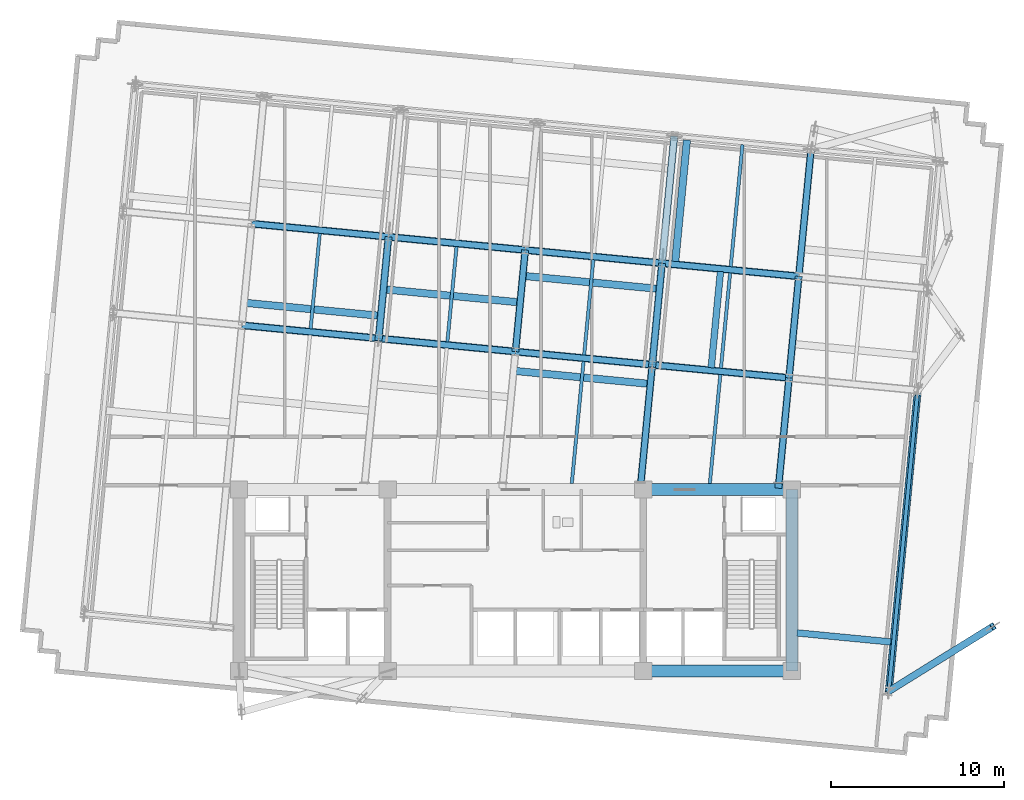
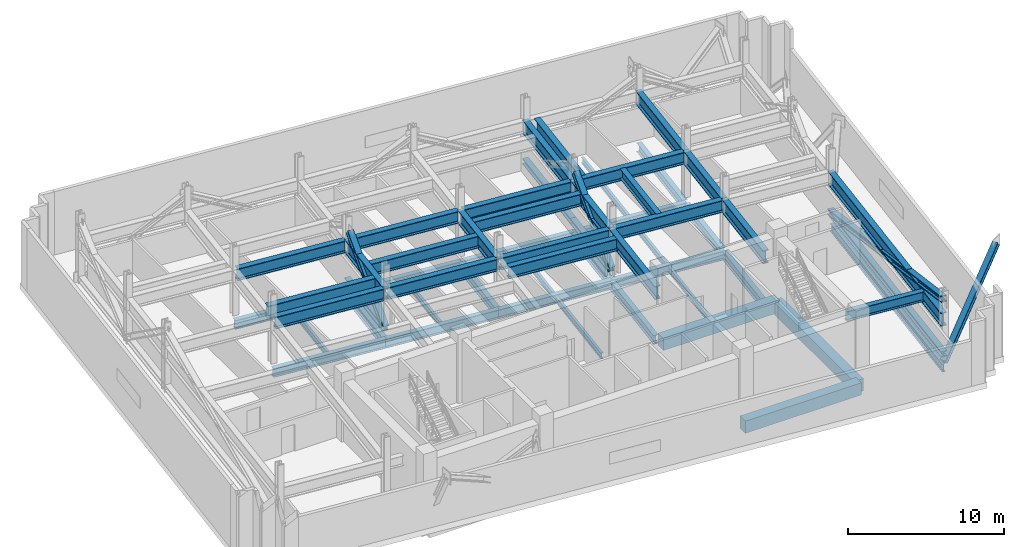
# One storey, part 2 of 10: 50 beams, 8 members.
"""IFC4 building model written with IfcOpenShell, lengths in metres."""

from ifc_helpers import new_model, si_unit, direction, frame, origin, origin_2d, place, context, subcontext, project, spatial, rectangle, i_section, extrude, material, material_profile, profile_set, type_object, element, save


model = new_model("IFC4")

# Units and contexts
model_context = context("Model", 3, precision=1e-05, world=origin(), true_north=direction((0.0, 1.0)))
body_context = subcontext(model_context, "Body", "Model", "MODEL_VIEW")
ifc_project = project(units=[si_unit("LENGTHUNIT", "METRE"), si_unit("AREAUNIT", "SQUARE_METRE"), si_unit("VOLUMEUNIT", "CUBIC_METRE"), si_unit("PLANEANGLEUNIT", "RADIAN"), si_unit("MASSUNIT", "GRAM", prefix="KILO")], contexts=[model_context])

# Site, building, storey
site_placement = place(None, origin())
site = spatial("IfcSite", under=ifc_project, at=site_placement, CompositionType="ELEMENT")
building_placement = place(site_placement, origin())
building = spatial("IfcBuilding", under=site, at=building_placement, Name="Solmavex Isthmus Hotel", CompositionType="ELEMENT")
storey_placement = place(building_placement, frame((0.0, 0.0, 186.300048828125)))
storey = spatial("IfcBuildingStorey", under=building, at=storey_placement, Name="L50", CompositionType="ELEMENT", Elevation=186.300048828125)

# Beams
ifc_material_1 = material(Name="Steel ASTM A992 Grade 50", Category="steel")
ifc_material_profile_1 = material_profile(ifc_material_1, i_section(OverallWidth=0.354736328125, OverallDepth=0.695556640625, WebThickness=0.015380859375, FlangeThickness=0.02490234375, FilletRadius=0.017822265625, at=origin_2d()), Name="W27X146")
ifc_profile_set_1 = profile_set([ifc_material_profile_1], Name="Steel ASTM A992 Grade 50")
beam_type_1 = type_object("IfcBeamType", Name="BM-BG-W27X146", PredefinedType="BEAM", material=ifc_profile_set_1)
beam_1_placement = place(storey_placement, frame((-15.83740234375, 7.015380859375, -0.7978515625), z_axis=(0.995397158178, -0.095835783981, 0.0), x_axis=(0.095835783981, 0.995397158178, 0.0)))
element("IfcBeam", 1, at=beam_1_placement, inside=storey, type_object=beam_type_1, Name="Floor Girder L50-UG04", PredefinedType="BEAM", context=body_context, shape_type="SweptSolid", body=[
    extrude(i_section(OverallWidth=0.354736328125, OverallDepth=0.695556640625, WebThickness=0.015380859375, FlangeThickness=0.02490234375, FilletRadius=0.017822265625, at=origin_2d()), origin(), (0.0, 0.0, 1.0), 7.955810546875),
])
for number, where, z_axis, x_axis, name in (
    (2, (-7.918212890625, 6.2529296875, -0.7978515625), (0.995394512348, -0.095863260885, 0.0), (0.095863260885, 0.995394512348, 0.0), "Floor Girder L50-UG05"),
    (3, (0.001220703125, 5.490234375, -0.7978515625), (0.995397440011, -0.095832856685, 0.0), (0.095832856685, 0.995397440011, 0.0), "Floor Girder L50-UG06"),
    (4, (7.920654296875, 4.727783203125, -0.7978515625), (0.995397440011, -0.095832856685, 0.0), (0.095832856685, 0.995397440011, 0.0), "Floor Girder L50-UG07"),
    (5, (-15.271240234375, 12.896240234375, -0.7978515625), (0.995397440011, -0.095832856685, 0.0), (0.095832856685, 0.995397440011, 0.0), "Floor Girder L50-UG10"),
    (6, (-7.351806640625, 12.1337890625, -0.7978515625), (0.995394512348, -0.095863260885, 0.0), (0.095863260885, 0.995394512348, 0.0), "Floor Girder L50-UG11"),
):
    element("IfcBeam", number, at=place(storey_placement, frame(where, z_axis=z_axis, x_axis=x_axis)), inside=storey, type_object=beam_type_1, Name=name, PredefinedType="BEAM", context=body_context, shape_type="SweptSolid", body=[
        extrude(i_section(OverallWidth=0.354736328125, OverallDepth=0.695556640625, WebThickness=0.015380859375, FlangeThickness=0.02490234375, FilletRadius=0.017822265625, at=origin_2d()), origin(), (0.0, 0.0, 1.0), 7.9560546875),
    ])
beam_2_placement = place(storey_placement, frame((0.567626953125, 11.37109375, -0.7978515625), z_axis=(0.995397158178, -0.095835783981, 0.0), x_axis=(0.095835783981, 0.995397158178, 0.0)))
element("IfcBeam", 7, at=beam_2_placement, inside=storey, type_object=beam_type_1, Name="Floor Girder L50-UG12", PredefinedType="BEAM", context=body_context, shape_type="SweptSolid", body=[
    extrude(i_section(OverallWidth=0.354736328125, OverallDepth=0.695556640625, WebThickness=0.015380859375, FlangeThickness=0.02490234375, FilletRadius=0.017822265625, at=origin_2d()), origin(), (0.0, 0.0, 1.0), 7.955810546875),
])
beam_3_placement = place(storey_placement, frame((8.48681640625, 10.608642578125, -0.7978515625), z_axis=(0.995394512348, -0.095863260885, 0.0), x_axis=(0.095863260885, 0.995394512348, 0.0)))
element("IfcBeam", 8, at=beam_3_placement, inside=storey, type_object=beam_type_1, Name="Floor Girder L50-UG13", PredefinedType="BEAM", context=body_context, shape_type="SweptSolid", body=[
    extrude(i_section(OverallWidth=0.354736328125, OverallDepth=0.695556640625, WebThickness=0.015380859375, FlangeThickness=0.02490234375, FilletRadius=0.017822265625, at=origin_2d()), origin(), (0.0, 0.0, 1.0), 7.9560546875),
])
for number, where, z_axis, x_axis, name in (
    (9, (-7.901123046875, 6.429443359375, -0.7978515625), (0.095842252862, 0.99539653534, 0.0), (-0.99539653534, 0.095842252862, 0.0), "Floor Beam L50-VG28"),
    (10, (0.018310546875, 5.6669921875, -0.7978515625), (0.095842252862, 0.99539653534, 0.0), (-0.99539653534, 0.095842252862, 0.0), "Floor Beam L50-VG31"),
):
    element("IfcBeam", number, at=place(storey_placement, frame(where, z_axis=z_axis, x_axis=x_axis)), inside=storey, type_object=beam_type_1, Name=name, PredefinedType="BEAM", context=body_context, shape_type="SweptSolid", body=[
        extrude(i_section(OverallWidth=0.354736328125, OverallDepth=0.695556640625, WebThickness=0.015380859375, FlangeThickness=0.02490234375, FilletRadius=0.017822265625, at=origin_2d()), origin(), (0.0, 0.0, 1.0), 5.55322265625),
    ])
beam_4_placement = place(storey_placement, frame((7.25830078125, -2.14990234375, -0.7978515625), z_axis=(0.095847843924, 0.995395996986, 0.0), x_axis=(-0.995395996986, 0.095847843924, 0.0)))
element("IfcBeam", 11, at=beam_4_placement, inside=storey, type_object=beam_type_1, Name="Floor Beam L50-VG33", PredefinedType="BEAM", context=body_context, shape_type="SweptSolid", body=[
    extrude(i_section(OverallWidth=0.354736328125, OverallDepth=0.695556640625, WebThickness=0.015380859375, FlangeThickness=0.02490234375, FilletRadius=0.017822265625, at=origin_2d()), origin(), (0.0, 0.0, 1.0), 6.732177734375),
])
beam_5_placement = place(storey_placement, frame((7.937744140625, 4.904296875, -0.7978515625), z_axis=(0.095842252862, 0.99539653534, 0.0), x_axis=(-0.99539653534, 0.095842252862, 0.0)))
element("IfcBeam", 12, at=beam_5_placement, inside=storey, type_object=beam_type_1, Name="Floor Beam L50-VG34", PredefinedType="BEAM", context=body_context, shape_type="SweptSolid", body=[
    extrude(i_section(OverallWidth=0.354736328125, OverallDepth=0.695556640625, WebThickness=0.015380859375, FlangeThickness=0.02490234375, FilletRadius=0.017822265625, at=origin_2d()), origin(), (0.0, 0.0, 1.0), 5.55322265625),
])
beam_6_placement = place(storey_placement, frame((15.251220703125, -2.14990234375, -0.7978515625), z_axis=(0.095840286514, 0.995396724669, 0.0), x_axis=(-0.995396724669, 0.095840286514, 0.0)))
element("IfcBeam", 13, at=beam_6_placement, inside=storey, type_object=beam_type_1, Name="Floor Beam L50-VG36", PredefinedType="BEAM", context=body_context, shape_type="SweptSolid", body=[
    extrude(i_section(OverallWidth=0.354736328125, OverallDepth=0.695556640625, WebThickness=0.015380859375, FlangeThickness=0.02490234375, FilletRadius=0.017822265625, at=origin_2d()), origin(), (0.0, 0.0, 1.0), 5.9658203125),
])
beam_7_placement = place(storey_placement, frame((15.85693359375, 4.141845703125, -0.7978515625), z_axis=(0.095842252862, 0.99539653534, 0.0), x_axis=(-0.99539653534, 0.095842252862, 0.0)))
element("IfcBeam", 14, at=beam_7_placement, inside=storey, type_object=beam_type_1, Name="Floor Beam L50-VG37", PredefinedType="BEAM", context=body_context, shape_type="SweptSolid", body=[
    extrude(i_section(OverallWidth=0.354736328125, OverallDepth=0.695556640625, WebThickness=0.015380859375, FlangeThickness=0.02490234375, FilletRadius=0.017822265625, at=origin_2d()), origin(), (0.0, 0.0, 1.0), 5.55322265625),
])
beam_8_placement = place(storey_placement, frame((16.42333984375, 10.022705078125, -0.7978515625), z_axis=(0.095842805175, 0.99539648216, 0.0), x_axis=(-0.99539648216, 0.095842805175, 0.0)))
element("IfcBeam", 15, at=beam_8_placement, inside=storey, type_object=beam_type_1, Name="Floor Beam L50-VG38", PredefinedType="BEAM", context=body_context, shape_type="SweptSolid", body=[
    extrude(i_section(OverallWidth=0.354736328125, OverallDepth=0.695556640625, WebThickness=0.015380859375, FlangeThickness=0.02490234375, FilletRadius=0.017822265625, at=origin_2d()), origin(), (0.0, 0.0, 1.0), 7.099365234375),
])
ifc_material_profile_2 = material_profile(ifc_material_1, i_section(OverallWidth=0.380615234375, OverallDepth=0.773193359375, WebThickness=0.0166015625, FlangeThickness=0.027099609375, FilletRadius=0.01904296875, at=origin_2d()), Name="W30X173")
ifc_profile_set_2 = profile_set([ifc_material_profile_2], Name="Steel ASTM A992 Grade 50")
beam_type_2 = type_object("IfcBeamType", Name="BM-BG-W30X173", PredefinedType="BEAM", material=ifc_profile_set_2)
beam_9_placement = place(storey_placement, frame((11.333984375, 4.554931640625, 3.183349609375), z_axis=(0.095862823934, 0.995394554429, 0.0), x_axis=(-0.995394554429, 0.095862823934, 0.0)))
element("IfcBeam", 16, at=beam_9_placement, inside=storey, type_object=beam_type_2, Name="Floor Framing Cross Girder L50-XLC53", PredefinedType="BEAM", context=body_context, shape_type="SweptSolid", body=[
    extrude(i_section(OverallWidth=0.380615234375, OverallDepth=0.773193359375, WebThickness=0.0166015625, FlangeThickness=0.027099609375, FilletRadius=0.01904296875, at=origin_2d()), origin(), (0.0, 0.0, 1.0), 5.597900390625),
])
beam_10_placement = place(storey_placement, frame((16.300048828125, -10.79638671875, 3.183349609375), z_axis=(0.995394435534, -0.095864058476, 0.0), x_axis=(0.095864058476, 0.995394435534, 0.0)))
element("IfcBeam", 17, at=beam_10_placement, inside=storey, type_object=beam_type_2, Name="Floor Framing Cross Girder L50-XLC55", PredefinedType="BEAM", context=body_context, shape_type="SweptSolid", body=[
    extrude(i_section(OverallWidth=0.380615234375, OverallDepth=0.773193359375, WebThickness=0.0166015625, FlangeThickness=0.027099609375, FilletRadius=0.01904296875, at=origin_2d()), origin(), (0.0, 0.0, 1.0), 5.460205078125),
])
ifc_material_profile_3 = material_profile(ifc_material_1, i_section(OverallWidth=0.1904296875, OverallDepth=0.456787109375, WebThickness=0.009033203125, FlangeThickness=0.014404296875, FilletRadius=0.0126953125, at=origin_2d()), Name="W18X50")
ifc_profile_set_3 = profile_set([ifc_material_profile_3], Name="Steel ASTM A992 Grade 50")
beam_type_3 = type_object("IfcBeamType", Name="BM-BJ-W18X50", PredefinedType="JOIST", material=ifc_profile_set_3)
beam_11_placement = place(storey_placement, frame((-11.86083984375, 6.810791015625, -0.678466796875), z_axis=(0.095842252862, 0.99539653534, 0.0), x_axis=(-0.99539653534, 0.095842252862, 0.0)))
element("IfcBeam", 18, at=beam_11_placement, inside=storey, type_object=beam_type_3, Name="Secondary Floor Joist L50-J05", PredefinedType="JOIST", context=body_context, shape_type="SweptSolid", body=[
    extrude(i_section(OverallWidth=0.1904296875, OverallDepth=0.456787109375, WebThickness=0.009033203125, FlangeThickness=0.014404296875, FilletRadius=0.0126953125, at=origin_2d()), origin(), (0.0, 0.0, 1.0), 5.55322265625),
])
beam_12_placement = place(storey_placement, frame((-3.94140625, 6.048095703125, -0.678466796875), z_axis=(0.095838058801, 0.995396939158, 0.0), x_axis=(-0.995396939158, 0.095838058801, 0.0)))
element("IfcBeam", 19, at=beam_12_placement, inside=storey, type_object=beam_type_3, Name="Secondary Floor Joist L50-J08", PredefinedType="JOIST", context=body_context, shape_type="SweptSolid", body=[
    extrude(i_section(OverallWidth=0.1904296875, OverallDepth=0.456787109375, WebThickness=0.009033203125, FlangeThickness=0.014404296875, FilletRadius=0.0126953125, at=origin_2d()), origin(), (0.0, 0.0, 1.0), 5.553466796875),
])
beam_13_placement = place(storey_placement, frame((3.261962890625, -2.14990234375, -0.678466796875), z_axis=(0.095837287001, 0.995397013468, 0.0), x_axis=(-0.995397013468, 0.095837287001, 0.0)))
element("IfcBeam", 20, at=beam_13_placement, inside=storey, type_object=beam_type_3, Name="Secondary Floor Joist L50-J10", PredefinedType="JOIST", context=body_context, shape_type="SweptSolid", body=[
    extrude(i_section(OverallWidth=0.1904296875, OverallDepth=0.456787109375, WebThickness=0.009033203125, FlangeThickness=0.014404296875, FilletRadius=0.0126953125, at=origin_2d()), origin(), (0.0, 0.0, 1.0), 7.114990234375),
])
beam_14_placement = place(storey_placement, frame((3.97802734375, 5.28564453125, -0.678466796875), z_axis=(0.095842252862, 0.99539653534, 0.0), x_axis=(-0.99539653534, 0.095842252862, 0.0)))
element("IfcBeam", 21, at=beam_14_placement, inside=storey, type_object=beam_type_3, Name="Secondary Floor Joist L50-J11", PredefinedType="JOIST", context=body_context, shape_type="SweptSolid", body=[
    extrude(i_section(OverallWidth=0.1904296875, OverallDepth=0.456787109375, WebThickness=0.009033203125, FlangeThickness=0.014404296875, FilletRadius=0.0126953125, at=origin_2d()), origin(), (0.0, 0.0, 1.0), 5.55322265625),
])
beam_15_placement = place(storey_placement, frame((11.2548828125, -2.14990234375, -0.678466796875), z_axis=(0.095825243261, 0.995398172971, 0.0), x_axis=(-0.995398172971, 0.095825243261, 0.0)))
element("IfcBeam", 22, at=beam_15_placement, inside=storey, type_object=beam_type_3, Name="Secondary Floor Joist L50-J13", PredefinedType="JOIST", context=body_context, shape_type="SweptSolid", body=[
    extrude(i_section(OverallWidth=0.1904296875, OverallDepth=0.456787109375, WebThickness=0.009033203125, FlangeThickness=0.014404296875, FilletRadius=0.0126953125, at=origin_2d()), origin(), (0.0, 0.0, 1.0), 6.34912109375),
])
beam_16_placement = place(storey_placement, frame((11.8974609375, 4.523193359375, -0.678466796875), z_axis=(0.095842252862, 0.99539653534, 0.0), x_axis=(-0.99539653534, 0.095842252862, 0.0)))
element("IfcBeam", 23, at=beam_16_placement, inside=storey, type_object=beam_type_3, Name="Secondary Floor Joist L50-J14", PredefinedType="JOIST", context=body_context, shape_type="SweptSolid", body=[
    extrude(i_section(OverallWidth=0.1904296875, OverallDepth=0.456787109375, WebThickness=0.009033203125, FlangeThickness=0.014404296875, FilletRadius=0.0126953125, at=origin_2d()), origin(), (0.0, 0.0, 1.0), 5.55322265625),
])
beam_17_placement = place(storey_placement, frame((12.463623046875, 10.40380859375, -0.678466796875), z_axis=(0.095839524498, 0.995396798038, 0.0), x_axis=(-0.995396798038, 0.095839524498, 0.0)))
element("IfcBeam", 24, at=beam_17_placement, inside=storey, type_object=beam_type_3, Name="Secondary Floor Joist L50-J15", PredefinedType="JOIST", context=body_context, shape_type="SweptSolid", body=[
    extrude(i_section(OverallWidth=0.1904296875, OverallDepth=0.456787109375, WebThickness=0.009033203125, FlangeThickness=0.014404296875, FilletRadius=0.0126953125, at=origin_2d()), origin(), (0.0, 0.0, 1.0), 7.099609375),
])
ifc_material_2 = material(Name="Concrete C60/75", Category="concrete")
ifc_material_profile_4 = material_profile(ifc_material_2, rectangle(XDim=0.699951171875, YDim=0.949951171875, at=origin_2d()), Name="RC700X950")
ifc_profile_set_4 = profile_set([ifc_material_profile_4], Name="Concrete C60/75")
beam_type_4 = type_object("IfcBeamType", Name="BM-CB-700X950", PredefinedType="BEAM", material=ifc_profile_set_4)
for number, where, z_axis, x_axis, name in (
    (25, (7.39990234375, -13.0, -0.925048828125), (1.0, 0.0, 0.0), (0.0, 1.0, 0.0), "Core Coupling Beam L50-CB3"),
    (26, (7.39990234375, -2.5, -0.81494140625), (1.0, 0.0, 0.0), (0.0, 1.0, 0.0), "Core Coupling Beam L50-CB6"),
):
    element("IfcBeam", number, at=place(storey_placement, frame(where, z_axis=z_axis, x_axis=x_axis)), inside=storey, type_object=beam_type_4, Name=name, PredefinedType="BEAM", context=body_context, shape_type="SweptSolid", body=[
        extrude(rectangle(XDim=0.699951171875, YDim=0.949951171875, at=origin_2d()), origin(), (0.0, 0.0, 1.0), 8.60009765625),
    ])
beam_18_placement = place(storey_placement, frame((16.0, -13.0, -0.925048828125), z_axis=(0.0, 1.0, 0.0), x_axis=(-1.0, 0.0, 0.0)))
element("IfcBeam", 27, at=beam_18_placement, inside=storey, type_object=beam_type_4, Name="Core Coupling Beam L50-CB8", PredefinedType="BEAM", context=body_context, shape_type="SweptSolid", body=[
    extrude(rectangle(XDim=0.699951171875, YDim=0.949951171875, at=origin_2d()), origin(), (0.0, 0.0, 1.0), 10.5),
])
ifc_material_profile_5 = material_profile(ifc_material_1, i_section(OverallWidth=0.230224609375, OverallDepth=0.617431640625, WebThickness=0.01318359375, FlangeThickness=0.022216796875, FilletRadius=0.01513671875, at=origin_2d()), Name="W24X94")
ifc_profile_set_5 = profile_set([ifc_material_profile_5], Name="Steel ASTM A992 Grade 50")
beam_type_5 = type_object("IfcBeamType", Name="BM-SP-W24X94", PredefinedType="SPANDREL", material=ifc_profile_set_5)
beam_19_placement = place(storey_placement, frame((21.6162109375, -14.171875, -0.7587890625), z_axis=(0.095851245948, 0.995395669395, 0.0), x_axis=(-0.995395669395, 0.095851245948, 0.0)))
element("IfcBeam", 28, at=beam_19_placement, inside=storey, type_object=beam_type_5, Name="Floor Beam L50-VG39", PredefinedType="SPANDREL", context=body_context, shape_type="SweptSolid", body=[
    extrude(i_section(OverallWidth=0.230224609375, OverallDepth=0.617431640625, WebThickness=0.01318359375, FlangeThickness=0.022216796875, FilletRadius=0.01513671875, at=origin_2d()), origin(), (0.0, 0.0, 1.0), 17.32275390625),
])
ifc_material_3 = material(Name="Steel ASTM A913 Grade 65", Category="steel")
ifc_material_profile_6 = material_profile(ifc_material_3, i_section(OverallWidth=0.423095703125, OverallDepth=0.93896484375, WebThickness=0.02392578125, FlangeThickness=0.042724609375, FilletRadius=0.024169921875, at=origin_2d()), Name="W36X302")
ifc_profile_set_6 = profile_set([ifc_material_profile_6], Name="Steel ASTM A913 Grade 65")
beam_type_6 = type_object("IfcBeamType", Name="BM-TB-W36X302", PredefinedType="BEAM", material=ifc_profile_set_6)
for number, where, z_axis, x_axis, name in (
    (29, (-15.68310546875, 7.00048828125, 3.100341796875), (0.995398375573, -0.095823138676, 0.0), (0.095823138676, 0.995398375573, 0.0), "Horizontal Outrigger Collector Girder L50-XLC25"),
    (30, (-7.763916015625, 6.238037109375, 3.100341796875), (0.995395329488, -0.095854775747, 0.0), (0.095854775747, 0.995395329488, 0.0), "Horizontal Outrigger Collector Girder L50-XLC26"),
    (31, (0.155517578125, 5.4755859375, 3.100341796875), (0.995395329488, -0.095854775747, 0.0), (0.095854775747, 0.995395329488, 0.0), "Horizontal Outrigger Collector Girder L50-XLC27"),
    (32, (8.074951171875, 4.712890625, 3.100341796875), (0.995395329488, -0.095854775747, 0.0), (0.095854775747, 0.995395329488, 0.0), "Horizontal Outrigger Collector Girder L50-XLC28"),
    (33, (-15.116943359375, 12.88134765625, 3.100341796875), (0.995395329488, -0.095854775747, 0.0), (0.095854775747, 0.995395329488, 0.0), "Horizontal Outrigger Collector Girder L50-XLC31"),
    (34, (-7.197509765625, 12.118896484375, 3.100341796875), (0.995395329488, -0.095854775747, 0.0), (0.095854775747, 0.995395329488, 0.0), "Horizontal Outrigger Collector Girder L50-XLC32"),
):
    element("IfcBeam", number, at=place(storey_placement, frame(where, z_axis=z_axis, x_axis=x_axis)), inside=storey, type_object=beam_type_6, Name=name, PredefinedType="BEAM", context=body_context, shape_type="SweptSolid", body=[
        extrude(i_section(OverallWidth=0.423095703125, OverallDepth=0.93896484375, WebThickness=0.02392578125, FlangeThickness=0.042724609375, FilletRadius=0.024169921875, at=origin_2d()), origin(), (0.0, 0.0, 1.0), 7.64599609375),
    ])
beam_20_placement = place(storey_placement, frame((0.721923828125, 11.356201171875, 3.100341796875), z_axis=(0.995398082372, -0.095826184365, 0.0), x_axis=(0.095826184365, 0.995398082372, 0.0)))
element("IfcBeam", 35, at=beam_20_placement, inside=storey, type_object=beam_type_6, Name="Horizontal Outrigger Collector Girder L50-XLC33", PredefinedType="BEAM", context=body_context, shape_type="SweptSolid", body=[
    extrude(i_section(OverallWidth=0.423095703125, OverallDepth=0.93896484375, WebThickness=0.02392578125, FlangeThickness=0.042724609375, FilletRadius=0.024169921875, at=origin_2d()), origin(), (0.0, 0.0, 1.0), 7.645751953125),
])
for number, where, z_axis, x_axis, name in (
    (36, (8.64111328125, 10.59375, 3.100341796875), (0.995395329488, -0.095854775747, 0.0), (0.095854775747, 0.995395329488, 0.0), "Horizontal Outrigger Collector Girder L50-XLC34"),
    (37, (-15.5576171875, 8.3056640625, 3.100341796875), (0.995395329488, -0.095854775747, 0.0), (0.095854775747, 0.995395329488, 0.0), "Horizontal Outrigger Collector Girder L50-XLC45"),
    (38, (-7.48974609375, 9.083984375, 3.100341796875), (0.995398375573, -0.095823138676, 0.0), (0.095823138676, 0.995398375573, 0.0), "Horizontal Outrigger Collector Girder L50-XLC48"),
):
    element("IfcBeam", number, at=place(storey_placement, frame(where, z_axis=z_axis, x_axis=x_axis)), inside=storey, type_object=beam_type_6, Name=name, PredefinedType="BEAM", context=body_context, shape_type="SweptSolid", body=[
        extrude(i_section(OverallWidth=0.423095703125, OverallDepth=0.93896484375, WebThickness=0.02392578125, FlangeThickness=0.042724609375, FilletRadius=0.024169921875, at=origin_2d()), origin(), (0.0, 0.0, 1.0), 7.64599609375),
    ])
beam_21_placement = place(storey_placement, frame((0.048583984375, 4.36328125, 3.100341796875), z_axis=(0.995398082372, -0.095826184365, 0.0), x_axis=(0.095826184365, 0.995398082372, 0.0)))
element("IfcBeam", 39, at=beam_21_placement, inside=storey, type_object=beam_type_6, Name="Horizontal Outrigger Collector Girder L50-XLC50", PredefinedType="BEAM", context=body_context, shape_type="SweptSolid", body=[
    extrude(i_section(OverallWidth=0.423095703125, OverallDepth=0.93896484375, WebThickness=0.02392578125, FlangeThickness=0.042724609375, FilletRadius=0.024169921875, at=origin_2d()), origin(), (0.0, 0.0, 1.0), 7.645751953125),
])
beam_22_placement = place(storey_placement, frame((0.577880859375, 9.862548828125, 3.100341796875), z_axis=(0.995395329488, -0.095854775747, 0.0), x_axis=(0.095854775747, 0.995395329488, 0.0)))
element("IfcBeam", 40, at=beam_22_placement, inside=storey, type_object=beam_type_6, Name="Horizontal Outrigger Collector Girder L50-XLC51", PredefinedType="BEAM", context=body_context, shape_type="SweptSolid", body=[
    extrude(i_section(OverallWidth=0.423095703125, OverallDepth=0.93896484375, WebThickness=0.02392578125, FlangeThickness=0.042724609375, FilletRadius=0.024169921875, at=origin_2d()), origin(), (0.0, 0.0, 1.0), 7.64599609375),
])
beam_23_placement = place(storey_placement, frame((9.251220703125, 10.690673828125, 3.100341796875), z_axis=(0.095837213998, 0.995397020496, 0.0), x_axis=(-0.995397020496, 0.095837213998, 0.0)))
element("IfcBeam", 41, at=beam_23_placement, inside=storey, type_object=beam_type_6, Name="Horizontal Outrigger Collector Girder L50-XLC54", PredefinedType="BEAM", context=body_context, shape_type="SweptSolid", body=[
    extrude(i_section(OverallWidth=0.423095703125, OverallDepth=0.93896484375, WebThickness=0.02392578125, FlangeThickness=0.042724609375, FilletRadius=0.024169921875, at=origin_2d()), origin(), (0.0, 0.0, 1.0), 7.08203125),
])
ifc_material_profile_7 = material_profile(ifc_material_3, i_section(OverallWidth=0.409423828125, OverallDepth=1.036376953125, WebThickness=0.031005859375, FlangeThickness=0.055908203125, FilletRadius=0.030517578125, at=origin_2d()), Name="W40X397")
ifc_profile_set_7 = profile_set([ifc_material_profile_7], Name="Steel ASTM A913 Grade 65")
beam_type_7 = type_object("IfcBeamType", Name="BM-TB-W40X397B", PredefinedType="BEAM", material=ifc_profile_set_7)
for number, where, z_axis, x_axis, name in (
    (42, (-7.918212890625, 6.2529296875, 3.0517578125), (0.095869884946, 0.995393874384, 0.0), (-0.995393874384, 0.095869884946, 0.0), "Horizontal Transfer Carrier Girder L50-XLC08"),
    (43, (0.001220703125, 5.490234375, 3.0517578125), (0.095869884946, 0.995393874384, 0.0), (-0.995393874384, 0.095869884946, 0.0), "Horizontal Transfer Carrier Girder L50-XLC11"),
):
    element("IfcBeam", number, at=place(storey_placement, frame(where, z_axis=z_axis, x_axis=x_axis)), inside=storey, type_object=beam_type_7, Name=name, PredefinedType="BEAM", context=body_context, shape_type="SweptSolid", body=[
        extrude(i_section(OverallWidth=0.409423828125, OverallDepth=1.036376953125, WebThickness=0.031005859375, FlangeThickness=0.055908203125, FilletRadius=0.030517578125, at=origin_2d()), origin(), (0.0, 0.0, 1.0), 5.907958984375),
    ])
beam_24_placement = place(storey_placement, frame((7.232421875, -2.419921875, 3.0517578125), z_axis=(0.095843917792, 0.99539637503, 0.0), x_axis=(-0.99539637503, 0.095843917792, 0.0)))
element("IfcBeam", 44, at=beam_24_placement, inside=storey, type_object=beam_type_7, Name="Horizontal Transfer Carrier Girder L50-XLC13", PredefinedType="BEAM", context=body_context, shape_type="SweptSolid", body=[
    extrude(i_section(OverallWidth=0.409423828125, OverallDepth=1.036376953125, WebThickness=0.031005859375, FlangeThickness=0.055908203125, FilletRadius=0.030517578125, at=origin_2d()), origin(), (0.0, 0.0, 1.0), 7.1806640625),
])
beam_25_placement = place(storey_placement, frame((7.920654296875, 4.727783203125, 3.0517578125), z_axis=(0.095828941279, 0.995397816962, 0.0), x_axis=(-0.995397816962, 0.095828941279, 0.0)))
element("IfcBeam", 45, at=beam_25_placement, inside=storey, type_object=beam_type_7, Name="Horizontal Transfer Carrier Girder L50-XLC14", PredefinedType="BEAM", context=body_context, shape_type="SweptSolid", body=[
    extrude(i_section(OverallWidth=0.409423828125, OverallDepth=1.036376953125, WebThickness=0.031005859375, FlangeThickness=0.055908203125, FilletRadius=0.030517578125, at=origin_2d()), origin(), (0.0, 0.0, 1.0), 5.907958984375),
])
beam_26_placement = place(storey_placement, frame((8.48681640625, 10.608642578125, 3.0517578125), z_axis=(0.095847083277, 0.995396070229, 0.0), x_axis=(-0.995396070229, 0.095847083277, 0.0)))
element("IfcBeam", 46, at=beam_26_placement, inside=storey, type_object=beam_type_7, Name="Horizontal Transfer Carrier Girder L50-XLC15", PredefinedType="BEAM", context=body_context, shape_type="SweptSolid", body=[
    extrude(i_section(OverallWidth=0.409423828125, OverallDepth=1.036376953125, WebThickness=0.031005859375, FlangeThickness=0.055908203125, FilletRadius=0.030517578125, at=origin_2d()), origin(), (0.0, 0.0, 1.0), 7.391845703125),
])
beam_27_placement = place(storey_placement, frame((15.22509765625, -2.419921875, 3.0517578125), z_axis=(0.095870498612, 0.995393815279, 0.0), x_axis=(-0.995393815279, 0.095870498612, 0.0)))
element("IfcBeam", 47, at=beam_27_placement, inside=storey, type_object=beam_type_7, Name="Horizontal Transfer Carrier Girder L50-XLC16", PredefinedType="BEAM", context=body_context, shape_type="SweptSolid", body=[
    extrude(i_section(OverallWidth=0.409423828125, OverallDepth=1.036376953125, WebThickness=0.031005859375, FlangeThickness=0.055908203125, FilletRadius=0.030517578125, at=origin_2d()), origin(), (0.0, 0.0, 1.0), 6.414794921875),
])
beam_28_placement = place(storey_placement, frame((15.840087890625, 3.96533203125, 3.0517578125), z_axis=(0.095832883193, 0.995397437458, 0.0), x_axis=(-0.995397437458, 0.095832883193, 0.0)))
element("IfcBeam", 48, at=beam_28_placement, inside=storey, type_object=beam_type_7, Name="Horizontal Transfer Carrier Girder L50-XLC17", PredefinedType="BEAM", context=body_context, shape_type="SweptSolid", body=[
    extrude(i_section(OverallWidth=0.409423828125, OverallDepth=1.036376953125, WebThickness=0.031005859375, FlangeThickness=0.055908203125, FilletRadius=0.030517578125, at=origin_2d()), origin(), (0.0, 0.0, 1.0), 5.90771484375),
])
beam_29_placement = place(storey_placement, frame((16.40625, 9.845947265625, 3.0517578125), z_axis=(0.095843932323, 0.995396373631, 0.0), x_axis=(-0.995396373631, 0.095843932323, 0.0)))
element("IfcBeam", 49, at=beam_29_placement, inside=storey, type_object=beam_type_7, Name="Horizontal Transfer Carrier Girder L50-XLC18", PredefinedType="BEAM", context=body_context, shape_type="SweptSolid", body=[
    extrude(i_section(OverallWidth=0.409423828125, OverallDepth=1.036376953125, WebThickness=0.031005859375, FlangeThickness=0.055908203125, FilletRadius=0.030517578125, at=origin_2d()), origin(), (0.0, 0.0, 1.0), 7.39208984375),
])
beam_30_placement = place(storey_placement, frame((21.6162109375, -14.171875, 3.0517578125), z_axis=(0.095842661909, 0.995396495954, 0.0), x_axis=(-0.995396495954, 0.095842661909, 0.0)))
element("IfcBeam", 50, at=beam_30_placement, inside=storey, type_object=beam_type_7, Name="Horizontal Transfer Carrier Girder L50-XLC19", PredefinedType="BEAM", context=body_context, shape_type="SweptSolid", body=[
    extrude(i_section(OverallWidth=0.409423828125, OverallDepth=1.036376953125, WebThickness=0.031005859375, FlangeThickness=0.055908203125, FilletRadius=0.030517578125, at=origin_2d()), origin(), (0.0, 0.0, 1.0), 17.5),
])

# Members
ifc_material_profile_8 = material_profile(ifc_material_3, i_section(OverallWidth=0.412109375, OverallDepth=0.434814453125, WebThickness=0.035888671875, FlangeThickness=0.057373046875, FilletRadius=0.030517578125, at=origin_2d()), Name="W14X311")
ifc_profile_set_8 = profile_set([ifc_material_profile_8], Name="Steel ASTM A913 Grade 65")
member_type_1 = type_object("IfcMemberType", Name="MEM-TC-W14X311", PredefinedType="CHORD", material=ifc_profile_set_8)
member_1_placement = place(storey_placement, frame((21.6162109375, -14.171875, 0.349853515625), z_axis=(0.095842661909, 0.995396495954, 0.0), x_axis=(-0.995396495954, 0.095842661909, 0.0)))
element("IfcMember", 51, at=member_1_placement, inside=storey, type_object=member_type_1, Name="Outrigger and Belt Transfer Truss Bottom Chord BT-L50-E-10", PredefinedType="CHORD", context=body_context, shape_type="SweptSolid", body=[
    extrude(i_section(OverallWidth=0.412109375, OverallDepth=0.434814453125, WebThickness=0.035888671875, FlangeThickness=0.057373046875, FilletRadius=0.030517578125, at=origin_2d()), origin(), (0.0, 0.0, 1.0), 17.5),
])
for number, where, z_axis, x_axis, name in (
    (52, (-7.918212890625, 6.2529296875, 0.349853515625), (0.095869884946, 0.995393874384, 0.0), (-0.995393874384, 0.095869884946, 0.0), "Outrigger and Belt Transfer Truss Bottom Chord OT-L50-W-13"),
    (53, (7.920654296875, 4.727783203125, 0.349853515625), (0.095828941279, 0.995397816962, 0.0), (-0.995397816962, 0.095828941279, 0.0), "Outrigger and Belt Transfer Truss Bottom Chord OT-L50-E-15"),
):
    element("IfcMember", number, at=place(storey_placement, frame(where, z_axis=z_axis, x_axis=x_axis)), inside=storey, type_object=member_type_1, Name=name, PredefinedType="CHORD", context=body_context, shape_type="SweptSolid", body=[
        extrude(i_section(OverallWidth=0.412109375, OverallDepth=0.434814453125, WebThickness=0.035888671875, FlangeThickness=0.057373046875, FilletRadius=0.030517578125, at=origin_2d()), origin(), (0.0, 0.0, 1.0), 5.907958984375),
    ])
member_2_placement = place(storey_placement, frame((8.48681640625, 10.608642578125, 0.349853515625), z_axis=(0.095847083277, 0.995396070229, 0.0), x_axis=(-0.995396070229, 0.095847083277, 0.0)))
element("IfcMember", 54, at=member_2_placement, inside=storey, type_object=member_type_1, Name="Outrigger and Belt Transfer Truss Bottom Chord OT-L50-E-16", PredefinedType="CHORD", context=body_context, shape_type="SweptSolid", body=[
    extrude(i_section(OverallWidth=0.412109375, OverallDepth=0.434814453125, WebThickness=0.035888671875, FlangeThickness=0.057373046875, FilletRadius=0.030517578125, at=origin_2d()), origin(), (0.0, 0.0, 1.0), 7.391845703125),
])
ifc_material_profile_9 = material_profile(ifc_material_3, i_section(OverallWidth=0.40625, OverallDepth=0.416015625, WebThickness=0.02978515625, FlangeThickness=0.048095703125, FilletRadius=0.030517578125, at=origin_2d()), Name="W14X257")
ifc_profile_set_9 = profile_set([ifc_material_profile_9], Name="Steel ASTM A913 Grade 65")
member_type_2 = type_object("IfcMemberType", Name="MEM-TM-W14X257", PredefinedType="BRACE", material=ifc_profile_set_9)
member_3_placement = place(storey_placement, frame((21.6162109375, -14.171875, -0.25), z_axis=(0.699033017056, 0.434369572952, 0.568045698126), x_axis=(-0.527789974484, 0.849374913, 0.0)))
element("IfcMember", 55, at=member_3_placement, inside=storey, type_object=member_type_2, Name="Perimeter Facade Transfer Bracket L50-FBR07", PredefinedType="BRACE", context=body_context, shape_type="SweptSolid", body=[
    extrude(i_section(OverallWidth=0.40625, OverallDepth=0.416015625, WebThickness=0.02978515625, FlangeThickness=0.048095703125, FilletRadius=0.030517578125, at=origin_2d()), origin(), (0.0, 0.0, 1.0), 8.6259765625),
])
ifc_material_profile_10 = material_profile(ifc_material_3, i_section(OverallWidth=0.41845703125, OverallDepth=0.455078125, WebThickness=0.0419921875, FlangeThickness=0.067626953125, FilletRadius=0.030517578125, at=origin_2d()), Name="W14X370")
ifc_profile_set_10 = profile_set([ifc_material_profile_10], Name="Steel ASTM A913 Grade 65")
member_type_3 = type_object("IfcMemberType", Name="MEM-TM-W14X370", PredefinedType="BRACE", material=ifc_profile_set_10)
member_4_placement = place(storey_placement, frame((21.6162109375, -14.171875, 4.64990234375), z_axis=(0.093074076273, 0.966642698992, -0.238619171091), x_axis=(-0.995396495954, 0.095842661909, 0.0)))
element("IfcMember", 56, at=member_4_placement, inside=storey, type_object=member_type_3, Name="Outrigger and Belt Transfer Truss Diagonal Brace BT-L50-E-10", PredefinedType="BRACE", context=body_context, shape_type="SweptSolid", body=[
    extrude(i_section(OverallWidth=0.41845703125, OverallDepth=0.455078125, WebThickness=0.0419921875, FlangeThickness=0.067626953125, FilletRadius=0.030517578125, at=origin_2d()), origin(), (0.0, 0.0, 1.0), 18.0205078125),
])
for number, where, z_axis, x_axis, name in (
    (57, (-7.918212890625, 6.2529296875, 0.349853515625), (0.077516485037, 0.804795116727, 0.588469212993), (-0.995393421521, 0.095874586788, 0.0), "Outrigger and Belt Transfer Truss Diagonal Brace OT-L50-W-13"),
    (58, (7.920654296875, 4.727783203125, 0.349853515625), (0.077481042984, 0.80479734063, 0.588470839119), (-0.995397629225, 0.095830891334, 0.0), "Outrigger and Belt Transfer Truss Diagonal Brace OT-L50-E-15"),
):
    element("IfcMember", number, at=place(storey_placement, frame(where, z_axis=z_axis, x_axis=x_axis)), inside=storey, type_object=member_type_3, Name=name, PredefinedType="BRACE", context=body_context, shape_type="SweptSolid", body=[
        extrude(i_section(OverallWidth=0.41845703125, OverallDepth=0.455078125, WebThickness=0.0419921875, FlangeThickness=0.067626953125, FilletRadius=0.030517578125, at=origin_2d()), origin(), (0.0, 0.0, 1.0), 6.84716796875),
    ])

save(model, "model.ifc")
